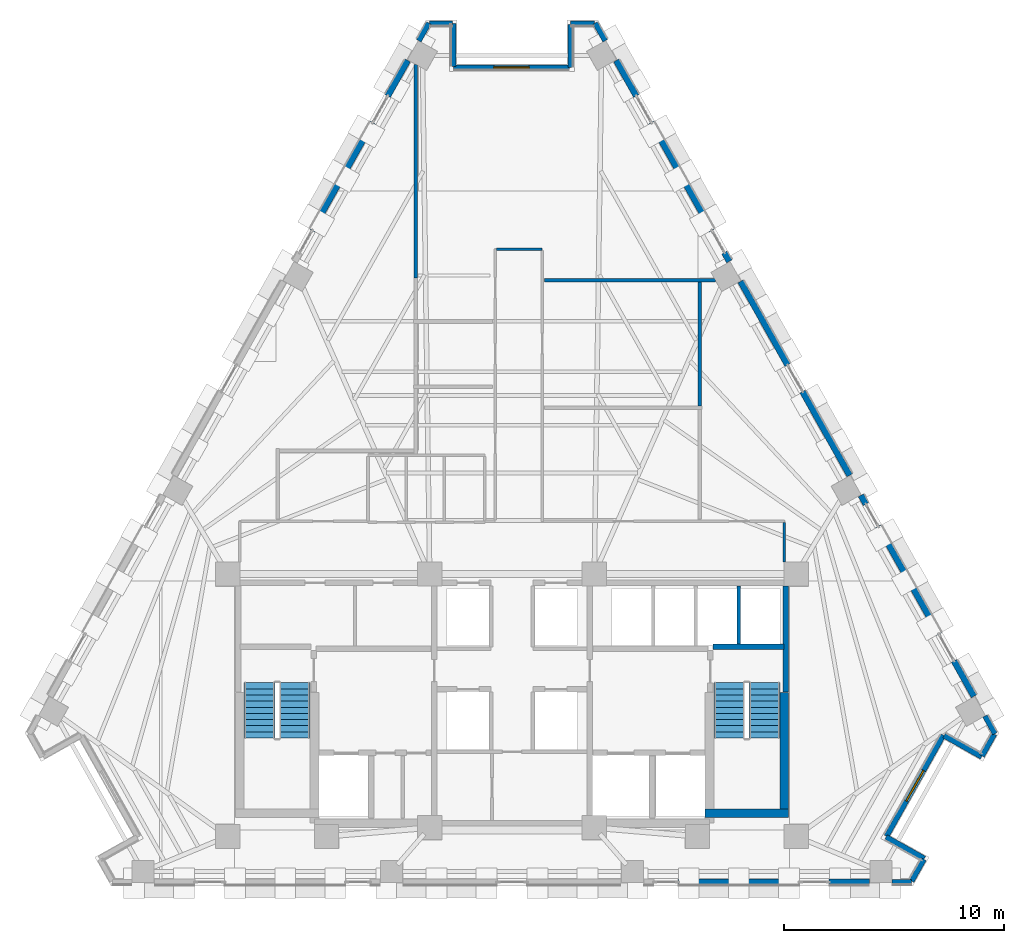
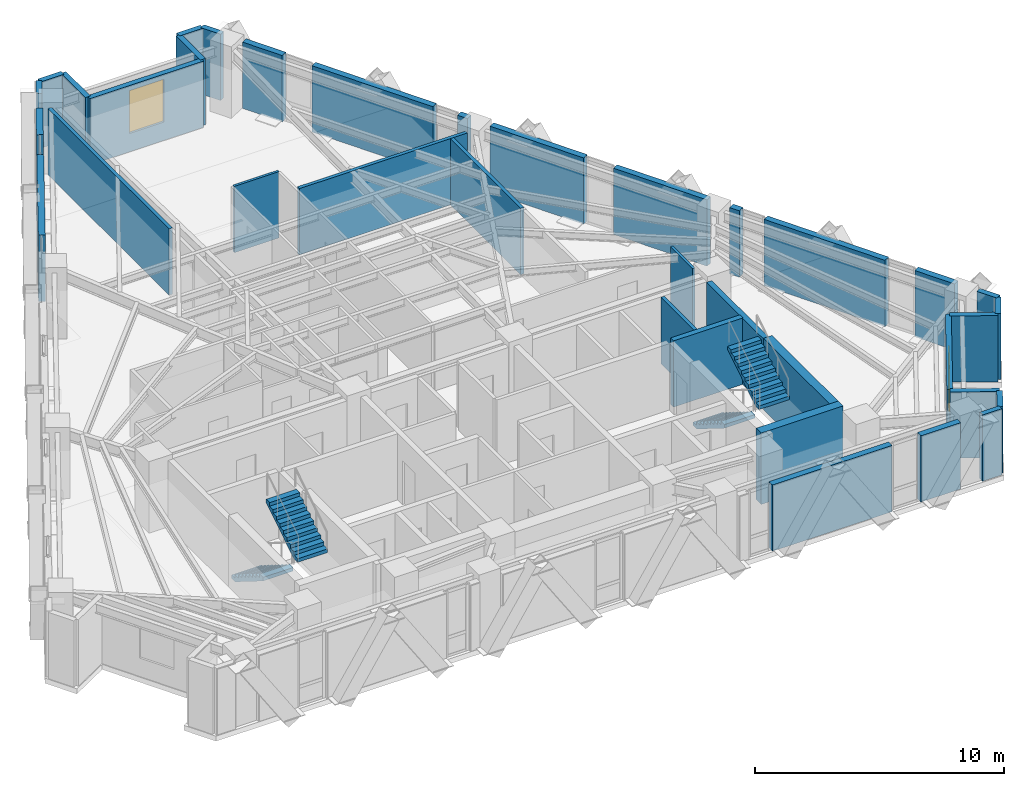
# One storey, part 9 of 13: 36 walls, 4 stair flights, 2 windows, 2 openings, 2 elements without a shape of their own.
"""IFC4 building model written with IfcOpenShell, lengths in metres."""

from ifc_helpers import new_model, si_unit, direction, frame, frame_2d, origin, place, context, subcontext, project, spatial, polyline, rectangle, outline, extrude, material, layer, layer_set, type_object, element, fill, aggregate, save


model = new_model("IFC4")

# Units and contexts
model_context = context("Model", 3, precision=1e-05, world=origin(), true_north=direction((0.0, 1.0)))
body_context = subcontext(model_context, "Body", "Model", "MODEL_VIEW")
ifc_project = project(units=[si_unit("LENGTHUNIT", "METRE"), si_unit("AREAUNIT", "SQUARE_METRE"), si_unit("VOLUMEUNIT", "CUBIC_METRE"), si_unit("PLANEANGLEUNIT", "RADIAN"), si_unit("MASSUNIT", "GRAM", prefix="KILO")], contexts=[model_context])

# Site, building, storey
site_placement = place(None, origin())
site = spatial("IfcSite", under=ifc_project, at=site_placement, CompositionType="ELEMENT")
building_placement = place(site_placement, origin())
building = spatial("IfcBuilding", under=site, at=building_placement, Name="Quenlor Broadcast Tower", CompositionType="ELEMENT")
storey_placement = place(building_placement, frame((0.0, 0.0, 147.5)))
storey = spatial("IfcBuildingStorey", under=building, at=storey_placement, Name="L40", CompositionType="ELEMENT", Elevation=147.5)

# Walls
ifc_material_1 = material(Name="Concrete C50/60", Category="concrete")
ifc_layer_1 = layer(ifc_material_1, 0.39990234375)
ifc_layer_set_1 = layer_set([ifc_layer_1], Name="Core Concrete C50/60 Shear Wall 400")
wall_type_1 = type_object("IfcWallType", Name="Core Concrete C50/60 Shear Wall 400", PredefinedType="SHEAR", material=ifc_layer_set_1)
wall_1_placement = place(storey_placement, frame((8.800048828125, -15.699951171875, 0.0), z_axis=(0.0, 0.0, 1.0), x_axis=(1.0, 0.0, 0.0)))
element("IfcWall", 1, at=wall_1_placement, inside=storey, type_object=wall_type_1, Name="L40 Core Shear Wall WS-E2", PredefinedType="SHEAR", context=body_context, shape_type="SweptSolid", body=[
    extrude(rectangle(XDim=3.800048828125, YDim=0.39990234375, at=frame_2d((1.89990234375, 0.0))), origin(), (0.0, 0.0, 1.0), 3.5),
])
wall_2_placement = place(storey_placement, frame((12.39990234375, -15.699951171875, 0.0), z_axis=(0.0, 0.0, 1.0), x_axis=(0.0, 1.0, 0.0)))
element("IfcWall", 2, at=wall_2_placement, inside=storey, type_object=wall_type_1, Name="L40 Core Shear Wall WF-E", PredefinedType="SHEAR", context=body_context, shape_type="SweptSolid", body=[
    extrude(rectangle(XDim=5.5, YDim=0.39990234375, at=frame_2d((2.75, 0.0))), origin(), (0.0, 0.0, 1.0), 3.5),
])
ifc_material_2 = material(Name="Concrete C40/50", Category="concrete")
ifc_layer_2 = layer(ifc_material_2, 0.25)
ifc_layer_set_2 = layer_set([ifc_layer_2], Name="Fire Rated Concrete C40/50 Core Wall 250")
wall_type_2 = type_object("IfcWallType", Name="Fire Rated Concrete C40/50 Core Wall 250", PredefinedType="PARTITIONING", material=ifc_layer_set_2)
wall_3_placement = place(storey_placement, frame((9.159912109375, -8.1201171875, 0.0), z_axis=(0.0, 0.0, 1.0), x_axis=(1.0, 0.0, 0.0)))
element("IfcWall", 3, at=wall_3_placement, inside=storey, type_object=wall_type_2, Name="L40 Interior Wall CW-ST2-N", PredefinedType="PARTITIONING", context=body_context, shape_type="SweptSolid", body=[
    extrude(rectangle(XDim=3.219970703125, YDim=0.25, at=frame_2d((1.60986328125, 0.0))), origin(), (0.0, 0.0, 1.0), 3.25),
])
wall_4_placement = place(storey_placement, frame((12.47998046875, -10.179931640625, 0.0), z_axis=(0.0, 0.0, 1.0), x_axis=(0.0, 1.0, 0.0)))
element("IfcWall", 4, at=wall_4_placement, inside=storey, type_object=wall_type_2, Name="L40 Interior Wall CW-ST2-E2", PredefinedType="PARTITIONING", context=body_context, shape_type="SweptSolid", body=[
    extrude(rectangle(XDim=4.827880859375, YDim=0.25, at=frame_2d((2.4140625, 0.0))), origin(), (0.0, 0.0, 1.0), 3.25),
])
ifc_material_3 = material(Name="Gypsum Fireboard Partition", Category="other")
ifc_layer_3 = layer(ifc_material_3, 0.159912109375)
ifc_layer_set_3 = layer_set([ifc_layer_3], Name="Fire Rated Shaft and Corridor Partition 160")
wall_type_3 = type_object("IfcWallType", Name="Fire Rated Shaft and Corridor Partition 160", PredefinedType="PARTITIONING", material=ifc_layer_set_3)
wall_5_placement = place(storey_placement, frame((10.324951171875, -7.992919921875, 0.0), z_axis=(0.0, 0.0, 1.0), x_axis=(0.0, 1.0, 0.0)))
element("IfcWall", 5, at=wall_5_placement, inside=storey, type_object=wall_type_3, Name="L40 Interior Wall CW-PLH-D3", PredefinedType="PARTITIONING", context=body_context, shape_type="SweptSolid", body=[
    extrude(rectangle(XDim=2.65283203125, YDim=0.159912109375, at=frame_2d((1.326416015625, 0.0))), origin(), (0.0, 0.0, 1.0), 3.25),
])
wall_6_placement = place(storey_placement, frame((9.264404296875, 8.580078125, 0.0), z_axis=(0.0, 0.0, 1.0), x_axis=(-1.0, 0.0, 0.0)))
element("IfcWall", 6, at=wall_6_placement, inside=storey, type_object=wall_type_3, Name="L40 Interior Wall PW-DV-01", PredefinedType="PARTITIONING", context=body_context, shape_type="SweptSolid", body=[
    extrude(rectangle(XDim=7.784423828125, YDim=0.159912109375, at=frame_2d((3.89208984375, 0.0))), origin(), (0.0, 0.0, 1.0), 3.25),
])
wall_7_placement = place(storey_placement, frame((-4.3798828125, 8.679931640625, 0.0), z_axis=(0.0, 0.0, 1.0), x_axis=(0.0, 1.0, 0.0)))
element("IfcWall", 7, at=wall_7_placement, inside=storey, type_object=wall_type_3, Name="L40 Interior Wall PW-DV-03", PredefinedType="PARTITIONING", context=body_context, shape_type="SweptSolid", body=[
    extrude(rectangle(XDim=9.7353515625, YDim=0.159912109375, at=frame_2d((4.86767578125, 0.0))), origin(), (0.0, 0.0, 1.0), 3.25),
])
wall_8_placement = place(storey_placement, frame((8.56005859375, 8.498046875, 0.0), z_axis=(0.0, 0.0, 1.0), x_axis=(0.0, -1.0, 0.0)))
element("IfcWall", 8, at=wall_8_placement, inside=storey, type_object=wall_type_3, Name="L40 Interior Wall PW-DV-06", PredefinedType="PARTITIONING", context=body_context, shape_type="SweptSolid", body=[
    extrude(rectangle(XDim=5.635986328125, YDim=0.159912109375, at=frame_2d((2.81787109375, 0.0))), origin(), (0.0, 0.0, 1.0), 3.25),
])
ifc_material_4 = material(Name="Gypsum Plasterboard Partition", Category="other")
ifc_layer_4 = layer(ifc_material_4, 0.1201171875)
ifc_layer_set_4 = layer_set([ifc_layer_4], Name="Standard Office Partition 120")
wall_type_4 = type_object("IfcWallType", Name="Standard Office Partition 120", PredefinedType="PARTITIONING", material=ifc_layer_set_4)
wall_9_placement = place(storey_placement, frame((-0.7080078125, 10.0, 0.0), z_axis=(0.0, 0.0, 1.0), x_axis=(1.0, 0.0, 0.0)))
element("IfcWall", 9, at=wall_9_placement, inside=storey, type_object=wall_type_4, Name="L40 Interior Wall PW-CR-04", PredefinedType="PARTITIONING", context=body_context, shape_type="SweptSolid", body=[
    extrude(rectangle(XDim=2.078125, YDim=0.1201171875, at=frame_2d((1.0390625, 0.0))), origin(), (0.0, 0.0, 1.0), 3.25),
])
wall_10_placement = place(storey_placement, frame((12.409912109375, -2.4619140625, 0.0), z_axis=(0.0, 0.0, 1.0), x_axis=(0.0, -1.0, 0.0)))
element("IfcWall", 10, at=wall_10_placement, inside=storey, type_object=wall_type_4, Name="L40 Interior Wall PW-CR-07", PredefinedType="PARTITIONING", context=body_context, shape_type="SweptSolid", body=[
    extrude(rectangle(XDim=1.7861328125, YDim=0.1201171875, at=frame_2d((0.89306640625, 0.0))), origin(), (0.0, 0.0, 1.0), 3.25),
])
ifc_material_5 = material(Name="Precast concrete C40/50", Category="concrete")
ifc_layer_5 = layer(ifc_material_5, 0.239990234375)
ifc_layer_set_5 = layer_set([ifc_layer_5], Name="Terrace Threshold Precast Concrete C40/50 Wall 240")
wall_type_5 = type_object("IfcWallType", Name="Terrace Threshold Precast Concrete C40/50 Wall 240", PredefinedType="STANDARD", material=ifc_layer_set_5)
wall_11_placement = place(storey_placement, frame((18.2099609375, -18.824951171875, 0.0), z_axis=(0.0, 0.0, 1.0), x_axis=(-1.0, 0.0, 0.0)))
element("IfcWall", 11, at=wall_11_placement, inside=storey, type_object=wall_type_5, Name="L40 Exterior Wall L40-SHD-SS0", PredefinedType="STANDARD", context=body_context, shape_type="SweptSolid", body=[
    extrude(rectangle(XDim=0.896484375, YDim=0.239990234375, at=frame_2d((0.4482421875, 0.0))), origin(), (0.0, 0.0, 1.0), 3.25),
])
wall_12_placement = place(storey_placement, frame((3.7919921875, 20.302001953125, 0.0), z_axis=(0.0, 0.0, 1.0), x_axis=(0.490048346303, -0.871695255399, 0.0)))
element("IfcWall", 12, at=wall_12_placement, inside=storey, type_object=wall_type_5, Name="L40 Exterior Wall L40-SHD-NES0", PredefinedType="STANDARD", context=body_context, shape_type="SweptSolid", body=[
    extrude(rectangle(XDim=0.925537109375, YDim=0.239990234375, at=frame_2d((0.462890625, 0.0))), origin(), (0.0, 0.0, 1.0), 3.25),
])
wall_13_placement = place(storey_placement, frame((21.54931640625, -11.2666015625, 0.0), z_axis=(0.0, 0.0, 1.0), x_axis=(0.490248718924, -0.871582579905, 0.0)))
element("IfcWall", 13, at=wall_13_placement, inside=storey, type_object=wall_type_5, Name="L40 Exterior Wall L40-SHD-NES1", PredefinedType="STANDARD", context=body_context, shape_type="SweptSolid", body=[
    extrude(rectangle(XDim=0.92578125, YDim=0.239990234375, at=frame_2d((0.462890625, 0.0))), origin(), (0.0, 0.0, 1.0), 3.25),
])
wall_14_placement = place(storey_placement, frame((-4.24560546875, 19.4951171875, 0.0), z_axis=(0.0, 0.0, 1.0), x_axis=(0.490048346303, 0.871695255399, 0.0)))
element("IfcWall", 14, at=wall_14_placement, inside=storey, type_object=wall_type_5, Name="L40 Exterior Wall L40-SHD-NWS1", PredefinedType="STANDARD", context=body_context, shape_type="SweptSolid", body=[
    extrude(rectangle(XDim=0.925537109375, YDim=0.239990234375, at=frame_2d((0.462890625, 0.0))), origin(), (0.0, 0.0, 1.0), 3.25),
])
wall_15_placement = place(storey_placement, frame((18.783935546875, -17.760009765625, 0.0), z_axis=(0.0, 0.0, 1.0), x_axis=(-0.871536415941, 0.49033078191, 0.0)))
element("IfcWall", 15, at=wall_15_placement, inside=storey, type_object=wall_type_5, Name="L40 Exterior Wall L40-CNR-01", PredefinedType="STANDARD", context=body_context, shape_type="SweptSolid", body=[
    extrude(rectangle(XDim=2.0, YDim=0.239990234375, at=frame_2d((1.0, 0.0))), origin(), (0.0, 0.0, 1.0), 3.25),
])

# Wall, opening, window
wall_16_placement = place(storey_placement, frame((17.060302734375, -16.744384765625, 0.0), z_axis=(0.0, 0.0, 1.0), x_axis=(0.490276606961, 0.871566892824, 0.0)))
wall_16 = element("IfcWall", 16, at=wall_16_placement, inside=storey, type_object=wall_type_5, Name="L40 Exterior Wall L40-CNR-02", PredefinedType="STANDARD", context=body_context, shape_type="SweptSolid", body=[
    extrude(rectangle(XDim=5.280029296875, YDim=0.239990234375, at=frame_2d((2.64013671875, 0.0))), origin(), (0.0, 0.0, 1.0), 3.25),
])
opening_1_placement = place(wall_16_placement, frame((1.840087890625, 0.0, 0.89990234375)))
opening_1 = element("IfcOpeningElement", 17, at=opening_1_placement, cuts=wall_16, Name="Opening WN-2", PredefinedType="OPENING", context=body_context, shape_type="SweptSolid", body=[
    extrude(rectangle(XDim=1.60009765625, YDim=2.10009765625, at=frame_2d((0.800048828125, 1.050048828125))), frame((0.0, 0.1298828125, 0.0), z_axis=(0.0, -1.0, 0.0), x_axis=(1.0, 0.0, 0.0)), (0.0, 0.0, 1.0), 0.260009765625),
])
ifc_material_6 = material(Name="Thermally Broken Aluminium and Low-E Glass", Category="aluminium")
window_type = type_object("IfcWindowType", Name="Tower Studio Punched Window 1600x2100", PartitioningType="SINGLE_PANEL", PredefinedType="WINDOW", material=ifc_material_6)
window_1_placement = place(opening_1_placement, origin())
window_1 = element("IfcWindow", 18, at=window_1_placement, inside=storey, type_object=window_type, Name="L40 Corner Chamfer Window 2", OverallHeight=2.10009765625, OverallWidth=1.60009765625, PartitioningType="SINGLE_PANEL", PredefinedType="WINDOW", context=body_context, shape_type="SweptSolid", body=[
    extrude(rectangle(XDim=1.60009765625, YDim=2.10009765625, at=frame_2d((0.800048828125, 1.050048828125))), frame((0.0, 0.030029296875, 0.0), z_axis=(0.0, -1.0, 0.0), x_axis=(1.0, 0.0, 0.0)), (0.0, 0.0, 1.0), 0.06005859375),
])
fill(opening_1, window_1)

# Walls
wall_17_placement = place(storey_placement, frame((19.683837890625, -12.162109375, 0.0), z_axis=(0.0, 0.0, 1.0), x_axis=(0.871512328312, -0.490373593906, 0.0)))
element("IfcWall", 19, at=wall_17_placement, inside=storey, type_object=wall_type_5, Name="L40 Exterior Wall L40-CNR-03", PredefinedType="STANDARD", context=body_context, shape_type="SweptSolid", body=[
    extrude(rectangle(XDim=1.960205078125, YDim=0.239990234375, at=frame_2d((0.97998046875, 0.0))), origin(), (0.0, 0.0, 1.0), 3.25),
])
wall_18_placement = place(storey_placement, frame((21.411865234375, -13.08837890625, 0.0), z_axis=(0.0, 0.0, 1.0), x_axis=(0.4900989379, 0.871666811958, 0.0)))
element("IfcWall", 20, at=wall_18_placement, inside=storey, type_object=wall_type_5, Name="L40 Exterior Wall L40-CNR-04", PredefinedType="STANDARD", context=body_context, shape_type="SweptSolid", body=[
    extrude(rectangle(XDim=1.142822265625, YDim=0.239990234375, at=frame_2d((0.5712890625, 0.0))), origin(), (0.0, 0.0, 1.0), 3.25),
])
wall_19_placement = place(storey_placement, frame((3.761474609375, 20.280029296875, 0.0), z_axis=(0.0, 0.0, 1.0), x_axis=(-1.0, 0.0, 0.0)))
element("IfcWall", 21, at=wall_19_placement, inside=storey, type_object=wall_type_5, Name="L40 Exterior Wall L40-CNR-06", PredefinedType="STANDARD", context=body_context, shape_type="SweptSolid", body=[
    extrude(rectangle(XDim=1.1015625, YDim=0.239990234375, at=frame_2d((0.55078125, 0.0))), origin(), (0.0, 0.0, 1.0), 3.25),
])
wall_20_placement = place(storey_placement, frame((2.659912109375, 20.239990234375, 0.0), z_axis=(0.0, 0.0, 1.0), x_axis=(0.0, -1.0, 0.0)))
element("IfcWall", 22, at=wall_20_placement, inside=storey, type_object=wall_type_5, Name="L40 Exterior Wall L40-CNR-07", PredefinedType="STANDARD", context=body_context, shape_type="SweptSolid", body=[
    extrude(rectangle(XDim=1.9599609375, YDim=0.239990234375, at=frame_2d((0.97998046875, 0.0))), origin(), (0.0, 0.0, 1.0), 3.25),
])

# Wall, opening, window
wall_21_placement = place(storey_placement, frame((2.6201171875, 18.280029296875, 0.0), z_axis=(0.0, 0.0, 1.0), x_axis=(-1.0, 0.0, 0.0)))
wall_21 = element("IfcWall", 23, at=wall_21_placement, inside=storey, type_object=wall_type_5, Name="L40 Exterior Wall L40-CNR-08", PredefinedType="STANDARD", context=body_context, shape_type="SweptSolid", body=[
    extrude(rectangle(XDim=5.280029296875, YDim=0.239990234375, at=frame_2d((2.64013671875, 0.0))), origin(), (0.0, 0.0, 1.0), 3.25),
])
opening_2_placement = place(wall_21_placement, frame((1.840087890625, 0.0, 0.89990234375)))
opening_2 = element("IfcOpeningElement", 24, at=opening_2_placement, cuts=wall_21, Name="Opening WN-2", PredefinedType="OPENING", context=body_context, shape_type="SweptSolid", body=[
    extrude(rectangle(XDim=1.60009765625, YDim=2.10009765625, at=frame_2d((0.800048828125, 1.050048828125))), frame((0.0, 0.1298828125, 0.0), z_axis=(0.0, -1.0, 0.0), x_axis=(1.0, 0.0, 0.0)), (0.0, 0.0, 1.0), 0.260009765625),
])
window_2_placement = place(opening_2_placement, origin())
window_2 = element("IfcWindow", 25, at=window_2_placement, inside=storey, type_object=window_type, Name="L40 Corner Chamfer Window 8", OverallHeight=2.10009765625, OverallWidth=1.60009765625, PartitioningType="SINGLE_PANEL", PredefinedType="WINDOW", context=body_context, shape_type="SweptSolid", body=[
    extrude(rectangle(XDim=1.60009765625, YDim=2.10009765625, at=frame_2d((0.800048828125, 1.050048828125))), frame((0.0, 0.030029296875, 0.0), z_axis=(0.0, -1.0, 0.0), x_axis=(1.0, 0.0, 0.0)), (0.0, 0.0, 1.0), 0.06005859375),
])
fill(opening_2, window_2)

# Walls
wall_22_placement = place(storey_placement, frame((-2.659912109375, 18.320068359375, 0.0), z_axis=(0.0, 0.0, 1.0), x_axis=(0.0, 1.0, 0.0)))
element("IfcWall", 26, at=wall_22_placement, inside=storey, type_object=wall_type_5, Name="L40 Exterior Wall L40-CNR-09", PredefinedType="STANDARD", context=body_context, shape_type="SweptSolid", body=[
    extrude(rectangle(XDim=1.9599609375, YDim=0.239990234375, at=frame_2d((0.97998046875, 0.0))), origin(), (0.0, 0.0, 1.0), 3.25),
])
wall_23_placement = place(storey_placement, frame((-2.699951171875, 20.280029296875, 0.0), z_axis=(0.0, 0.0, 1.0), x_axis=(-1.0, 0.0, 0.0)))
element("IfcWall", 27, at=wall_23_placement, inside=storey, type_object=wall_type_5, Name="L40 Exterior Wall L40-CNR-10", PredefinedType="STANDARD", context=body_context, shape_type="SweptSolid", body=[
    extrude(rectangle(XDim=1.0615234375, YDim=0.239990234375, at=frame_2d((0.53076171875, 0.0))), origin(), (0.0, 0.0, 1.0), 3.25),
])
wall_24_placement = place(storey_placement, frame((18.205810546875, -18.78759765625, 0.0), z_axis=(0.0, 0.0, 1.0), x_axis=(0.490403700594, 0.871495387506, 0.0)))
element("IfcWall", 28, at=wall_24_placement, inside=storey, type_object=wall_type_5, Name="L40 Exterior Wall L40-CNR-18", PredefinedType="STANDARD", context=body_context, shape_type="SweptSolid", body=[
    extrude(rectangle(XDim=1.13916015625, YDim=0.239990234375, at=frame_2d((0.569580078125, 0.0))), origin(), (0.0, 0.0, 1.0), 3.25),
])
ifc_material_7 = material(Name="Precast concrete C40/50", Category="concrete")
ifc_layer_6 = layer(ifc_material_7, 0.280029296875)
ifc_layer_set_6 = layer_set([ifc_layer_6], Name="Terracotta Precast Concrete C40/50 Facade Wall 280")
wall_type_6 = type_object("IfcWallType", Name="Terracotta Precast Concrete C40/50 Facade Wall 280", PredefinedType="STANDARD", material=ifc_layer_set_6)
wall_25_placement = place(storey_placement, frame((16.283447265625, -18.824951171875, 0.0), z_axis=(0.0, 0.0, 1.0), x_axis=(-1.0, 0.0, 0.0)))
element("IfcWall", 29, at=wall_25_placement, inside=storey, type_object=wall_type_6, Name="L40 Exterior Wall L40-SA-SP1", PredefinedType="STANDARD", context=body_context, shape_type="SweptSolid", body=[
    extrude(rectangle(XDim=1.83837890625, YDim=0.280029296875, at=frame_2d((0.919189453125, 0.0))), origin(), (0.0, 0.0, 1.0), 3.25),
])
wall_26_placement = place(storey_placement, frame((13.10693359375, -18.824951171875, 0.0), z_axis=(0.0, 0.0, 1.0), x_axis=(-1.0, 0.0, 0.0)))
element("IfcWall", 30, at=wall_26_placement, inside=storey, type_object=wall_type_6, Name="L40 Exterior Wall L40-SA-SP2", PredefinedType="STANDARD", context=body_context, shape_type="SweptSolid", body=[
    extrude(rectangle(XDim=5.550048828125, YDim=0.280029296875, at=frame_2d((2.77490234375, 0.0))), origin(), (0.0, 0.0, 1.0), 3.25),
])
wall_27_placement = place(storey_placement, frame((4.750732421875, 18.597412109375, 0.0), z_axis=(0.0, 0.0, 1.0), x_axis=(0.490248749158, -0.871582562899, 0.0)))
element("IfcWall", 31, at=wall_27_placement, inside=storey, type_object=wall_type_6, Name="L40 Exterior Wall L40-NEA-SP1", PredefinedType="STANDARD", context=body_context, shape_type="SweptSolid", body=[
    extrude(rectangle(XDim=1.85595703125, YDim=0.280029296875, at=frame_2d((0.927978515625, 0.0))), origin(), (0.0, 0.0, 1.0), 3.25),
])
wall_28_placement = place(storey_placement, frame((6.342041015625, 15.768310546875, 0.0), z_axis=(0.0, 0.0, 1.0), x_axis=(0.490289995219, -0.871559361483, 0.0)))
element("IfcWall", 32, at=wall_28_placement, inside=storey, type_object=wall_type_6, Name="L40 Exterior Wall L40-NEA-SP2", PredefinedType="STANDARD", context=body_context, shape_type="SweptSolid", body=[
    extrude(rectangle(XDim=5.643310546875, YDim=0.280029296875, at=frame_2d((2.82177734375, 0.0))), origin(), (0.0, 0.0, 1.0), 3.25),
])
for number, where, z_axis, x_axis, name in (
    (33, (9.674072265625, 9.8447265625, 0.0), (0.0, 0.0, 1.0), (0.490412424957, -0.871490478116, 0.0), "L40 Exterior Wall L40-NEA-SP3"),
    (34, (15.8955078125, -1.21533203125, 0.0), (0.0, 0.0, 1.0), (0.490009165718, -0.871717280724, 0.0), "L40 Exterior Wall L40-NEC-SP1"),
):
    element("IfcWall", number, at=place(storey_placement, frame(where, z_axis=z_axis, x_axis=x_axis)), inside=storey, type_object=wall_type_6, Name=name, PredefinedType="STANDARD", context=body_context, shape_type="SweptSolid", body=[
        extrude(rectangle(XDim=0.4599609375, YDim=0.280029296875, at=frame_2d((0.22998046875, 0.0))), origin(), (0.0, 0.0, 1.0), 3.25),
    ])
wall_29_placement = place(storey_placement, frame((16.686279296875, -2.621337890625, 0.0), z_axis=(0.0, 0.0, 1.0), x_axis=(0.490238645956, -0.871588245682, 0.0)))
element("IfcWall", 35, at=wall_29_placement, inside=storey, type_object=wall_type_6, Name="L40 Exterior Wall L40-NEC-SP2", PredefinedType="STANDARD", context=body_context, shape_type="SweptSolid", body=[
    extrude(rectangle(XDim=5.643310546875, YDim=0.280029296875, at=frame_2d((2.82177734375, 0.0))), origin(), (0.0, 0.0, 1.0), 3.25),
])
wall_30_placement = place(storey_placement, frame((20.13427734375, -8.751220703125, 0.0), z_axis=(0.0, 0.0, 1.0), x_axis=(0.490248749158, -0.871582562899, 0.0)))
element("IfcWall", 36, at=wall_30_placement, inside=storey, type_object=wall_type_6, Name="L40 Exterior Wall L40-NEC-SP3", PredefinedType="STANDARD", context=body_context, shape_type="SweptSolid", body=[
    extrude(rectangle(XDim=1.85595703125, YDim=0.280029296875, at=frame_2d((0.927978515625, 0.0))), origin(), (0.0, 0.0, 1.0), 3.25),
])
wall_31_placement = place(storey_placement, frame((10.411865234375, 8.532958984375, 0.0), z_axis=(0.0, 0.0, 1.0), x_axis=(0.490274486291, -0.871568085747, 0.0)))
element("IfcWall", 37, at=wall_31_placement, inside=storey, type_object=wall_type_6, Name="L40 Exterior Wall L40-NE-SP1", PredefinedType="STANDARD", context=body_context, shape_type="SweptSolid", body=[
    extrude(rectangle(XDim=4.375244140625, YDim=0.280029296875, at=frame_2d((2.1875, 0.0))), origin(), (0.0, 0.0, 1.0), 3.25),
])
wall_32_placement = place(storey_placement, frame((13.23828125, 3.508544921875, 0.0), z_axis=(0.0, 0.0, 1.0), x_axis=(0.490232095789, -0.871591929895, 0.0)))
element("IfcWall", 38, at=wall_32_placement, inside=storey, type_object=wall_type_6, Name="L40 Exterior Wall L40-NE-SP2", PredefinedType="STANDARD", context=body_context, shape_type="SweptSolid", body=[
    extrude(rectangle(XDim=4.375, YDim=0.280029296875, at=frame_2d((2.1875, 0.0))), origin(), (0.0, 0.0, 1.0), 3.25),
])
wall_33_placement = place(storey_placement, frame((-9.10888671875, 10.849853515625, 0.0), z_axis=(0.0, 0.0, 1.0), x_axis=(0.490289995219, 0.871559361483, 0.0)))
element("IfcWall", 39, at=wall_33_placement, inside=storey, type_object=wall_type_6, Name="L40 Exterior Wall L40-NWC-SP2", PredefinedType="STANDARD", context=body_context, shape_type="SweptSolid", body=[
    extrude(rectangle(XDim=5.643310546875, YDim=0.280029296875, at=frame_2d((2.82177734375, 0.0))), origin(), (0.0, 0.0, 1.0), 3.25),
])
wall_34_placement = place(storey_placement, frame((-5.66064453125, 16.979736328125, 0.0), z_axis=(0.0, 0.0, 1.0), x_axis=(0.490248749158, 0.871582562899, 0.0)))
element("IfcWall", 40, at=wall_34_placement, inside=storey, type_object=wall_type_6, Name="L40 Exterior Wall L40-NWC-SP3", PredefinedType="STANDARD", context=body_context, shape_type="SweptSolid", body=[
    extrude(rectangle(XDim=1.85595703125, YDim=0.280029296875, at=frame_2d((0.927978515625, 0.0))), origin(), (0.0, 0.0, 1.0), 3.25),
])

# Stair, stair flights
ifc_material_8 = material(Name="Precast concrete C40/50", Category="concrete")
stair_type = type_object("IfcStairType", Name="Precast Concrete C40/50 Dogleg Stair H350", PredefinedType="HALF_TURN_STAIR", material=ifc_material_8)
stair_1_placement = place(storey_placement, origin())
stair_1 = element("IfcStair", 41, at=stair_1_placement, inside=storey, type_object=stair_type, Name="L40 West Core Fire-Isolated Exit Stair ST-1", PredefinedType="HALF_TURN_STAIR")
ifc_material_9 = material(Name="Precast concrete C40/50", Category="concrete")
ifc_layer_7 = layer(ifc_material_9, 0.159912109375)
ifc_layer_set_7 = layer_set([ifc_layer_7], Name="Precast Concrete C40/50 Stair Flight H350")
stair_flight_type = type_object("IfcStairFlightType", Name="Precast Concrete C40/50 Stair Flight H350", PredefinedType="STRAIGHT", material=ifc_layer_set_7)
stair_flight_1_placement = place(storey_placement, frame((-11.5, -9.75, 0.0), z_axis=(0.0, 0.0, 1.0), x_axis=(0.0, -1.0, 0.0)))
stair_flight_1 = element("IfcStairFlight", 42, at=stair_flight_1_placement, type_object=stair_flight_type, Name="ST-1 flight 1", NumberOfRisers=10, NumberOfTreads=9, PredefinedType="STRAIGHT", RiserHeight=0.175, TreadLength=0.28, context=body_context, shape_type="SweptSolid", body=[
    extrude(outline(polyline([(0.0, 0.0), (0.0, 0.175048828125), (0.280029296875, 0.175048828125), (0.280029296875, 0.35009765625), (0.56005859375, 0.35009765625), (0.56005859375, 0.52490234375), (0.840087890625, 0.52490234375), (0.840087890625, 0.699951171875), (1.1201171875, 0.699951171875), (1.1201171875, 0.875), (1.39990234375, 0.875), (1.39990234375, 1.050048828125), (1.679931640625, 1.050048828125), (1.679931640625, 1.22509765625), (1.9599609375, 1.22509765625), (1.9599609375, 1.39990234375), (2.239990234375, 1.39990234375), (2.239990234375, 1.574951171875), (2.52001953125, 1.574951171875), (2.52001953125, 1.75), (2.52001953125, 1.398193359375), (0.28271484375, 0.0), (0.0, 0.0)])), frame((0.0, 0.699951171875, 0.0), z_axis=(0.0, -1.0, 0.0), x_axis=(1.0, 0.0, 0.0)), (0.0, 0.0, 1.0), 1.39990234375),
])
stair_flight_2_placement = place(storey_placement, frame((-9.89990234375, -12.27001953125, 1.75), z_axis=(0.0, 0.0, 1.0), x_axis=(0.0, 1.0, 0.0)))
stair_flight_2 = element("IfcStairFlight", 43, at=stair_flight_2_placement, type_object=stair_flight_type, Name="ST-1 flight 2", NumberOfRisers=10, NumberOfTreads=9, PredefinedType="STRAIGHT", RiserHeight=0.175, TreadLength=0.28, context=body_context, shape_type="SweptSolid", body=[
    extrude(outline(polyline([(0.0, 0.0), (0.0, 0.175048828125), (0.280029296875, 0.175048828125), (0.280029296875, 0.35009765625), (0.56005859375, 0.35009765625), (0.56005859375, 0.52490234375), (0.840087890625, 0.52490234375), (0.840087890625, 0.699951171875), (1.1201171875, 0.699951171875), (1.1201171875, 0.875), (1.39990234375, 0.875), (1.39990234375, 1.050048828125), (1.679931640625, 1.050048828125), (1.679931640625, 1.22509765625), (1.9599609375, 1.22509765625), (1.9599609375, 1.39990234375), (2.239990234375, 1.39990234375), (2.239990234375, 1.574951171875), (2.52001953125, 1.574951171875), (2.52001953125, 1.75), (2.52001953125, 1.398193359375), (0.28271484375, 0.0), (0.0, 0.0)])), frame((0.0, 0.699951171875, 0.0), z_axis=(0.0, -1.0, 0.0), x_axis=(1.0, 0.0, 0.0)), (0.0, 0.0, 1.0), 1.39990234375),
])
aggregate(stair_1, [stair_flight_1, stair_flight_2])

stair_2_placement = place(storey_placement, origin())
stair_2 = element("IfcStair", 44, at=stair_2_placement, inside=storey, type_object=stair_type, Name="L40 East Core Fire-Isolated Exit Stair ST-2", PredefinedType="HALF_TURN_STAIR")
stair_flight_3_placement = place(storey_placement, frame((9.89990234375, -9.75, 0.0), z_axis=(0.0, 0.0, 1.0), x_axis=(0.0, -1.0, 0.0)))
stair_flight_3 = element("IfcStairFlight", 45, at=stair_flight_3_placement, type_object=stair_flight_type, Name="ST-2 flight 1", NumberOfRisers=10, NumberOfTreads=9, PredefinedType="STRAIGHT", RiserHeight=0.175, TreadLength=0.28, context=body_context, shape_type="SweptSolid", body=[
    extrude(outline(polyline([(0.0, 0.0), (0.0, 0.175048828125), (0.280029296875, 0.175048828125), (0.280029296875, 0.35009765625), (0.56005859375, 0.35009765625), (0.56005859375, 0.52490234375), (0.840087890625, 0.52490234375), (0.840087890625, 0.699951171875), (1.1201171875, 0.699951171875), (1.1201171875, 0.875), (1.39990234375, 0.875), (1.39990234375, 1.050048828125), (1.679931640625, 1.050048828125), (1.679931640625, 1.22509765625), (1.9599609375, 1.22509765625), (1.9599609375, 1.39990234375), (2.239990234375, 1.39990234375), (2.239990234375, 1.574951171875), (2.52001953125, 1.574951171875), (2.52001953125, 1.75), (2.52001953125, 1.398193359375), (0.28271484375, 0.0), (0.0, 0.0)])), frame((0.0, 0.699951171875, 0.0), z_axis=(0.0, -1.0, 0.0), x_axis=(1.0, 0.0, 0.0)), (0.0, 0.0, 1.0), 1.39990234375),
])
stair_flight_4_placement = place(storey_placement, frame((11.5, -12.27001953125, 1.75), z_axis=(0.0, 0.0, 1.0), x_axis=(0.0, 1.0, 0.0)))
stair_flight_4 = element("IfcStairFlight", 46, at=stair_flight_4_placement, type_object=stair_flight_type, Name="ST-2 flight 2", NumberOfRisers=10, NumberOfTreads=9, PredefinedType="STRAIGHT", RiserHeight=0.175, TreadLength=0.28, context=body_context, shape_type="SweptSolid", body=[
    extrude(outline(polyline([(0.0, 0.0), (0.0, 0.175048828125), (0.280029296875, 0.175048828125), (0.280029296875, 0.35009765625), (0.56005859375, 0.35009765625), (0.56005859375, 0.52490234375), (0.840087890625, 0.52490234375), (0.840087890625, 0.699951171875), (1.1201171875, 0.699951171875), (1.1201171875, 0.875), (1.39990234375, 0.875), (1.39990234375, 1.050048828125), (1.679931640625, 1.050048828125), (1.679931640625, 1.22509765625), (1.9599609375, 1.22509765625), (1.9599609375, 1.39990234375), (2.239990234375, 1.39990234375), (2.239990234375, 1.574951171875), (2.52001953125, 1.574951171875), (2.52001953125, 1.75), (2.52001953125, 1.398193359375), (0.28271484375, 0.0), (0.0, 0.0)])), frame((0.0, 0.699951171875, 0.0), z_axis=(0.0, -1.0, 0.0), x_axis=(1.0, 0.0, 0.0)), (0.0, 0.0, 1.0), 1.39990234375),
])
aggregate(stair_2, [stair_flight_3, stair_flight_4])

save(model, "model.ifc")
